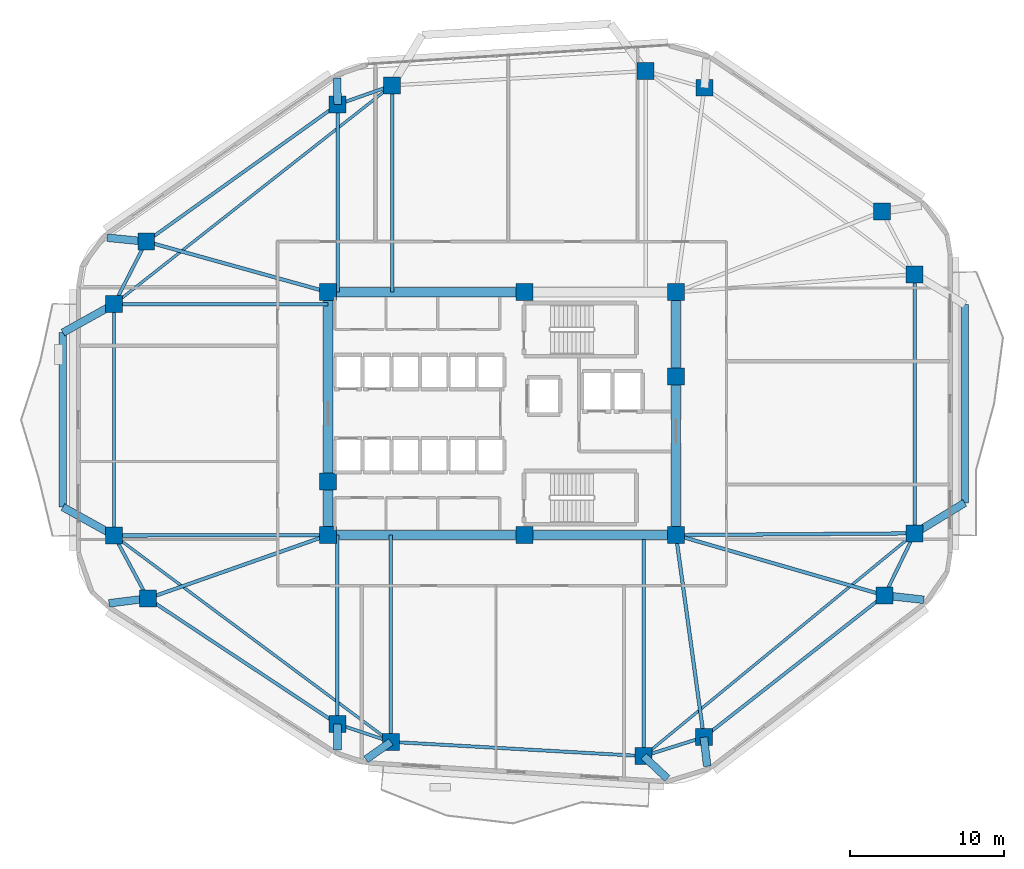
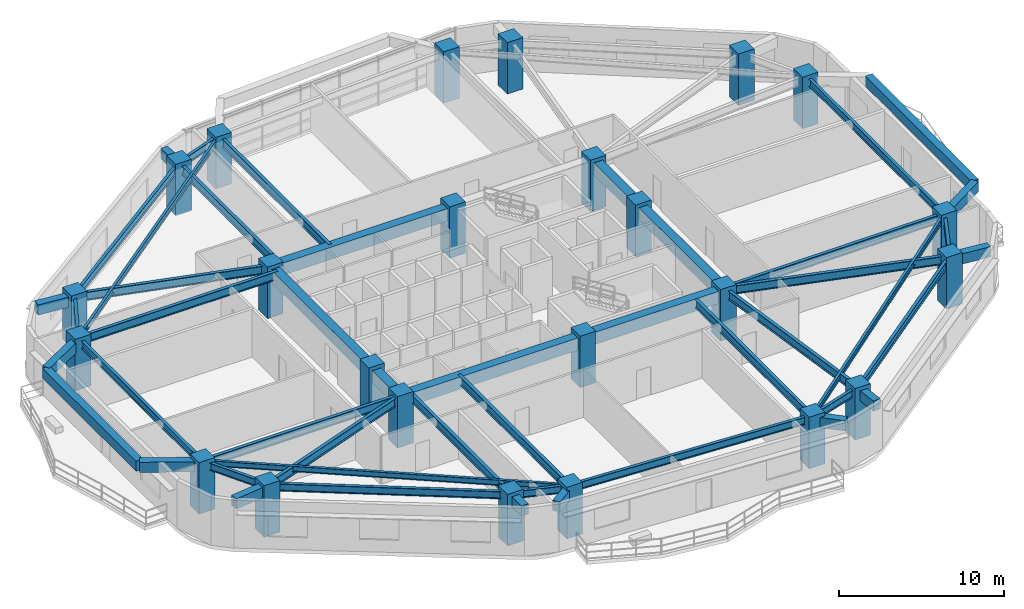
# One storey, part 1 of 13: 47 beams, 24 columns.
"""IFC4 building model written with IfcOpenShell, lengths in metres."""

from ifc_helpers import new_model, si_unit, direction, frame, origin, origin_2d, place, context, subcontext, project, spatial, rectangle, i_section, extrude, material, material_profile, profile_set, type_object, element, save


model = new_model("IFC4")

# Units and contexts
model_context = context("Model", 3, precision=1e-05, world=origin(), true_north=direction((0.0, 1.0)))
body_context = subcontext(model_context, "Body", "Model", "MODEL_VIEW")
ifc_project = project(units=[si_unit("LENGTHUNIT", "METRE"), si_unit("AREAUNIT", "SQUARE_METRE"), si_unit("VOLUMEUNIT", "CUBIC_METRE"), si_unit("PLANEANGLEUNIT", "RADIAN"), si_unit("MASSUNIT", "GRAM", prefix="KILO")], contexts=[model_context])

# Site, building, storey
site_placement = place(None, origin())
site = spatial("IfcSite", under=ifc_project, at=site_placement, CompositionType="ELEMENT")
building_placement = place(site_placement, origin())
building = spatial("IfcBuilding", under=site, at=building_placement, Name="Zulverin Broadcast Headquarters", CompositionType="ELEMENT")
storey_placement = place(building_placement, frame((0.0, 0.0, 101.0)))
storey = spatial("IfcBuildingStorey", under=building, at=storey_placement, Name="L25", CompositionType="ELEMENT", Elevation=101.0)

# Columns
ifc_material_1 = material(Name="Concrete C60/75", Category="concrete")
ifc_material_profile_1 = material_profile(ifc_material_1, rectangle(XDim=1.10009765625, YDim=1.10009765625, at=origin_2d()), Name="Concrete C60/75", Category="concrete")
ifc_profile_set_1 = profile_set([ifc_material_profile_1], Name="Concrete C60/75")
column_type_1 = type_object("IfcColumnType", Name="COL-RC-1100", PredefinedType="COLUMN", material=ifc_profile_set_1)
for number, where, z_axis, x_axis, name in (
    (1, (29.79638671875, 3.922119140625, 0.0), (0.0, 0.0, 1.0), (1.0, 0.0, 0.0), "L25 Perimeter Column T01"),
    (2, (46.175048828125, 2.997802734375, 0.0), (0.0, 0.0, 1.0), (1.0, 0.0, 0.0), "L25 Perimeter Column T02"),
    (3, (50.08056640625, 4.22509765625, 0.0), (0.0, 0.0, 1.0), (1.0, 0.0, 0.0), "L25 Perimeter Column T03"),
    (4, (61.79296875, 13.416259765625, 0.0), (0.0, 0.0, 1.0), (1.0, 0.0, 0.0), "L25 Perimeter Column T04"),
    (5, (63.75, 17.439697265625, 0.0), (0.0, 0.0, 1.0), (1.0, 0.0, 0.0), "L25 Perimeter Column T05"),
    (6, (63.75, 34.235107421875, 0.0), (0.0, 0.0, 1.0), (1.0, 0.0, 0.0), "L25 Perimeter Column T06"),
    (7, (61.630126953125, 38.298583984375, 0.0), (0.0, 0.0, 1.0), (1.0, 0.0, 0.0), "L25 Perimeter Column T07"),
    (8, (50.121826171875, 46.325927734375, 0.0), (0.0, 0.0, 1.0), (1.0, 0.0, 0.0), "L25 Perimeter Column T08"),
    (9, (46.30224609375, 47.4091796875, 0.0), (0.0, 0.0, 1.0), (1.0, 0.0, 0.0), "L25 Perimeter Column T09"),
    (10, (29.873779296875, 46.482177734375, 0.0), (0.0, 0.0, 1.0), (1.0, 0.0, 0.0), "L25 Perimeter Column T10"),
    (11, (26.344482421875, 45.23828125, 0.0), (0.0, 0.0, 1.0), (1.0, 0.0, 0.0), "L25 Perimeter Column T11"),
    (12, (13.934326171875, 36.353759765625, 0.0), (0.0, 0.0, 1.0), (1.0, 0.0, 0.0), "L25 Perimeter Column T12"),
    (13, (11.85009765625, 32.298095703125, 0.0), (0.0, 0.0, 1.0), (1.0, 0.0, 0.0), "L25 Perimeter Column T13"),
    (14, (11.85009765625, 17.297607421875, 0.0), (0.0, 0.0, 1.0), (1.0, 0.0, 0.0), "L25 Perimeter Column T14"),
    (15, (14.0390625, 13.219970703125, 0.0), (0.0, 0.0, 1.0), (1.0, 0.0, 0.0), "L25 Perimeter Column T15"),
    (16, (26.3251953125, 5.075927734375, 0.0), (0.0, 0.0, 1.0), (1.0, 0.0, 0.0), "L25 Perimeter Column T16"),
):
    element("IfcColumn", number, at=place(storey_placement, frame(where, z_axis=z_axis, x_axis=x_axis)), inside=storey, type_object=column_type_1, Name=name, PredefinedType="COLUMN", context=body_context, shape_type="SweptSolid", body=[
        extrude(rectangle(XDim=1.10009765625, YDim=1.10009765625, at=origin_2d()), origin(), (0.0, 0.0, 1.0), 3.800048828125),
    ])
ifc_material_profile_2 = material_profile(ifc_material_1, rectangle(XDim=1.10009765625, YDim=1.10009765625, at=origin_2d()), Name="Concrete C60/75", Category="concrete")
ifc_profile_set_2 = profile_set([ifc_material_profile_2], Name="Concrete C60/75")
column_type_2 = type_object("IfcColumnType", Name="PIL-RC-1100", PredefinedType="PILASTER", material=ifc_profile_set_2)
for number, where, z_axis, x_axis, name in (
    (17, (25.72509765625, 17.324951171875, 0.0), (0.0, 0.0, 1.0), (1.0, 0.0, 0.0), "L25 Core Pilaster K01"),
    (18, (38.449951171875, 17.324951171875, 0.0), (0.0, 0.0, 1.0), (1.0, 0.0, 0.0), "L25 Core Pilaster K02"),
    (19, (48.27490234375, 17.324951171875, 0.0), (0.0, 0.0, 1.0), (1.0, 0.0, 0.0), "L25 Core Pilaster K03"),
    (20, (48.27490234375, 27.6201171875, 0.0), (0.0, 0.0, 1.0), (1.0, 0.0, 0.0), "L25 Core Pilaster K04"),
    (21, (48.27490234375, 33.074951171875, 0.0), (0.0, 0.0, 1.0), (1.0, 0.0, 0.0), "L25 Core Pilaster K05"),
    (22, (38.449951171875, 33.074951171875, 0.0), (0.0, 0.0, 1.0), (1.0, 0.0, 0.0), "L25 Core Pilaster K06"),
    (23, (25.72509765625, 33.074951171875, 0.0), (0.0, 0.0, 1.0), (1.0, 0.0, 0.0), "L25 Core Pilaster K07"),
    (24, (25.72509765625, 20.800048828125, 0.0), (0.0, 0.0, 1.0), (1.0, 0.0, 0.0), "L25 Core Pilaster K08"),
):
    element("IfcColumn", number, at=place(storey_placement, frame(where, z_axis=z_axis, x_axis=x_axis)), inside=storey, type_object=column_type_2, Name=name, PredefinedType="PILASTER", context=body_context, shape_type="SweptSolid", body=[
        extrude(rectangle(XDim=1.10009765625, YDim=1.10009765625, at=origin_2d()), origin(), (0.0, 0.0, 1.0), 3.800048828125),
    ])

# Beams
ifc_material_profile_3 = material_profile(ifc_material_1, rectangle(XDim=0.60009765625, YDim=0.89990234375, at=origin_2d()), Name="Concrete C60/75", Category="concrete")
ifc_profile_set_3 = profile_set([ifc_material_profile_3], Name="Concrete C60/75")
beam_type_1 = type_object("IfcBeamType", Name="BM-CB-600x900", PredefinedType="LINTEL", material=ifc_profile_set_3)
beam_1_placement = place(storey_placement, frame((25.72509765625, 17.324951171875, 3.074951171875), z_axis=(1.0, 0.0, 0.0), x_axis=(0.0, 1.0, 0.0)))
element("IfcBeam", 25, at=beam_1_placement, inside=storey, type_object=beam_type_1, Name="L25 Core Coupling Girder K01-K02", PredefinedType="LINTEL", context=body_context, shape_type="SweptSolid", body=[
    extrude(rectangle(XDim=0.60009765625, YDim=0.89990234375, at=origin_2d()), origin(), (0.0, 0.0, 1.0), 12.724853515625),
])
beam_2_placement = place(storey_placement, frame((38.449951171875, 17.324951171875, 3.074951171875), z_axis=(1.0, 0.0, 0.0), x_axis=(0.0, 1.0, 0.0)))
element("IfcBeam", 26, at=beam_2_placement, inside=storey, type_object=beam_type_1, Name="L25 Core Coupling Girder K02-K03", PredefinedType="LINTEL", context=body_context, shape_type="SweptSolid", body=[
    extrude(rectangle(XDim=0.60009765625, YDim=0.89990234375, at=origin_2d()), origin(), (0.0, 0.0, 1.0), 9.824951171875),
])
beam_3_placement = place(storey_placement, frame((48.27490234375, 17.324951171875, 3.074951171875), z_axis=(0.0, 1.0, 0.0), x_axis=(-1.0, 0.0, 0.0)))
element("IfcBeam", 27, at=beam_3_placement, inside=storey, type_object=beam_type_1, Name="L25 Core Coupling Girder K03-K04", PredefinedType="LINTEL", context=body_context, shape_type="SweptSolid", body=[
    extrude(rectangle(XDim=0.60009765625, YDim=0.89990234375, at=origin_2d()), origin(), (0.0, 0.0, 1.0), 10.295166015625),
])
beam_4_placement = place(storey_placement, frame((48.27490234375, 27.6201171875, 3.074951171875), z_axis=(0.0, 1.0, 0.0), x_axis=(-1.0, 0.0, 0.0)))
element("IfcBeam", 28, at=beam_4_placement, inside=storey, type_object=beam_type_1, Name="L25 Core Coupling Girder K04-K05", PredefinedType="LINTEL", context=body_context, shape_type="SweptSolid", body=[
    extrude(rectangle(XDim=0.60009765625, YDim=0.89990234375, at=origin_2d()), origin(), (0.0, 0.0, 1.0), 5.454833984375),
])
beam_5_placement = place(storey_placement, frame((38.449951171875, 33.074951171875, 3.074951171875), z_axis=(-1.0, 0.0, 0.0), x_axis=(0.0, -1.0, 0.0)))
element("IfcBeam", 29, at=beam_5_placement, inside=storey, type_object=beam_type_1, Name="L25 Core Coupling Girder K06-K07", PredefinedType="LINTEL", context=body_context, shape_type="SweptSolid", body=[
    extrude(rectangle(XDim=0.60009765625, YDim=0.89990234375, at=origin_2d()), origin(), (0.0, 0.0, 1.0), 12.724853515625),
])
beam_6_placement = place(storey_placement, frame((25.72509765625, 33.074951171875, 3.074951171875), z_axis=(0.0, -1.0, 0.0), x_axis=(1.0, 0.0, 0.0)))
element("IfcBeam", 30, at=beam_6_placement, inside=storey, type_object=beam_type_1, Name="L25 Core Coupling Girder K07-K08", PredefinedType="LINTEL", context=body_context, shape_type="SweptSolid", body=[
    extrude(rectangle(XDim=0.60009765625, YDim=0.89990234375, at=origin_2d()), origin(), (0.0, 0.0, 1.0), 12.27490234375),
])
beam_7_placement = place(storey_placement, frame((25.72509765625, 20.800048828125, 3.074951171875), z_axis=(0.0, -1.0, 0.0), x_axis=(1.0, 0.0, 0.0)))
element("IfcBeam", 31, at=beam_7_placement, inside=storey, type_object=beam_type_1, Name="L25 Core Coupling Girder K08-K01", PredefinedType="LINTEL", context=body_context, shape_type="SweptSolid", body=[
    extrude(rectangle(XDim=0.60009765625, YDim=0.89990234375, at=origin_2d()), origin(), (0.0, 0.0, 1.0), 3.47509765625),
])
ifc_material_2 = material(Name="Concrete C40/50", Category="concrete")
ifc_material_profile_4 = material_profile(ifc_material_2, rectangle(XDim=0.5, YDim=0.75, at=origin_2d()), Name="Concrete C40/50", Category="concrete")
ifc_profile_set_4 = profile_set([ifc_material_profile_4], Name="Concrete C40/50")
beam_type_2 = type_object("IfcBeamType", Name="BM-RC-500x750", PredefinedType="BEAM", material=ifc_profile_set_4)
beam_8_placement = place(storey_placement, frame((29.79638671875, 3.922119140625, 3.14990234375), z_axis=(-0.817789251944, -0.575517801119, 0.0), x_axis=(0.575517801119, -0.817789251944, 0.0)))
element("IfcBeam", 32, at=beam_8_placement, inside=storey, type_object=beam_type_2, Name="L26 Plate Overhang Back-Spanned Beam OVR-01", PredefinedType="BEAM", context=body_context, shape_type="SweptSolid", body=[
    extrude(rectangle(XDim=0.5, YDim=0.75, at=origin_2d()), origin(), (0.0, 0.0, 1.0), 1.983154296875),
])
beam_9_placement = place(storey_placement, frame((46.175048828125, 2.997802734375, 3.14990234375), z_axis=(0.727711332613, -0.685883529754, 0.0), x_axis=(0.685883529754, 0.727711332613, 0.0)))
element("IfcBeam", 33, at=beam_9_placement, inside=storey, type_object=beam_type_2, Name="L26 Plate Overhang Back-Spanned Beam OVR-02", PredefinedType="BEAM", context=body_context, shape_type="SweptSolid", body=[
    extrude(rectangle(XDim=0.5, YDim=0.75, at=origin_2d()), origin(), (0.0, 0.0, 1.0), 2.113037109375),
])
beam_10_placement = place(storey_placement, frame((50.08056640625, 4.22509765625, 3.14990234375), z_axis=(0.115916621896, -0.99325894749, 0.0), x_axis=(0.99325894749, 0.115916621896, 0.0)))
element("IfcBeam", 34, at=beam_10_placement, inside=storey, type_object=beam_type_2, Name="L26 Plate Overhang Back-Spanned Beam OVR-03", PredefinedType="BEAM", context=body_context, shape_type="SweptSolid", body=[
    extrude(rectangle(XDim=0.5, YDim=0.75, at=origin_2d()), origin(), (0.0, 0.0, 1.0), 1.899658203125),
])
beam_11_placement = place(storey_placement, frame((61.79296875, 13.416259765625, 3.14990234375), z_axis=(0.993797661948, -0.111203449166, 0.0), x_axis=(0.111203449166, 0.993797661948, 0.0)))
element("IfcBeam", 35, at=beam_11_placement, inside=storey, type_object=beam_type_2, Name="L26 Plate Overhang Back-Spanned Beam OVR-04", PredefinedType="BEAM", context=body_context, shape_type="SweptSolid", body=[
    extrude(rectangle(XDim=0.5, YDim=0.75, at=origin_2d()), origin(), (0.0, 0.0, 1.0), 2.568603515625),
])
beam_12_placement = place(storey_placement, frame((26.344482421875, 45.23828125, 3.14990234375), z_axis=(-0.025024345209, 0.999686842039, 0.0), x_axis=(-0.999686842039, -0.025024345209, 0.0)))
element("IfcBeam", 36, at=beam_12_placement, inside=storey, type_object=beam_type_2, Name="L26 Plate Overhang Back-Spanned Beam OVR-11", PredefinedType="BEAM", context=body_context, shape_type="SweptSolid", body=[
    extrude(rectangle(XDim=0.5, YDim=0.75, at=origin_2d()), origin(), (0.0, 0.0, 1.0), 1.707275390625),
])
beam_13_placement = place(storey_placement, frame((13.934326171875, 36.353759765625, 3.14990234375), z_axis=(-0.995008621602, 0.09978899207, 0.0), x_axis=(-0.09978899207, -0.995008621602, 0.0)))
element("IfcBeam", 37, at=beam_13_placement, inside=storey, type_object=beam_type_2, Name="L26 Plate Overhang Back-Spanned Beam OVR-12", PredefinedType="BEAM", context=body_context, shape_type="SweptSolid", body=[
    extrude(rectangle(XDim=0.5, YDim=0.75, at=origin_2d()), origin(), (0.0, 0.0, 1.0), 2.5419921875),
])
beam_14_placement = place(storey_placement, frame((14.0390625, 13.219970703125, 3.14990234375), z_axis=(-0.992258640565, -0.124188526941, 0.0), x_axis=(0.124188526941, -0.992258640565, 0.0)))
element("IfcBeam", 38, at=beam_14_placement, inside=storey, type_object=beam_type_2, Name="L26 Plate Overhang Back-Spanned Beam OVR-15", PredefinedType="BEAM", context=body_context, shape_type="SweptSolid", body=[
    extrude(rectangle(XDim=0.5, YDim=0.75, at=origin_2d()), origin(), (0.0, 0.0, 1.0), 2.5400390625),
])
beam_15_placement = place(storey_placement, frame((26.3251953125, 5.075927734375, 3.14990234375), z_axis=(0.006204786761, -0.999980750125, 0.0), x_axis=(0.999980750125, 0.006204786761, 0.0)))
element("IfcBeam", 39, at=beam_15_placement, inside=storey, type_object=beam_type_2, Name="L26 Plate Overhang Back-Spanned Beam OVR-16", PredefinedType="BEAM", context=body_context, shape_type="SweptSolid", body=[
    extrude(rectangle(XDim=0.5, YDim=0.75, at=origin_2d()), origin(), (0.0, 0.0, 1.0), 1.69189453125),
])
beam_16_placement = place(storey_placement, frame((63.75, 17.439697265625, 3.14990234375), z_axis=(0.853769010652, 0.520651972483, 0.0), x_axis=(-0.520651972483, 0.853769010652, 0.0)))
element("IfcBeam", 40, at=beam_16_placement, inside=storey, type_object=beam_type_2, Name="L26 Balcony Column-Framed Cantilever BAL_E-1", PredefinedType="BEAM", context=body_context, shape_type="SweptSolid", body=[
    extrude(rectangle(XDim=0.5, YDim=0.75, at=origin_2d()), origin(), (0.0, 0.0, 1.0), 3.800048828125),
])
beam_17_placement = place(storey_placement, frame((66.994384765625, 19.418212890625, 3.14990234375), z_axis=(0.000531985561, 0.999999858496, 0.0), x_axis=(-0.999999858496, 0.000531985561, 0.0)))
element("IfcBeam", 41, at=beam_17_placement, inside=storey, type_object=beam_type_2, Name="L26 Balcony Outer Edge Trimmer Beam BAL_E", PredefinedType="BEAM", context=body_context, shape_type="SweptSolid", body=[
    extrude(rectangle(XDim=0.5, YDim=0.75, at=origin_2d()), origin(), (0.0, 0.0, 1.0), 12.849853515625),
])
beam_18_placement = place(storey_placement, frame((11.85009765625, 32.298095703125, 3.14990234375), z_axis=(-0.873763019306, -0.486351915893, 0.0), x_axis=(0.486351915893, -0.873763019306, 0.0)))
element("IfcBeam", 42, at=beam_18_placement, inside=storey, type_object=beam_type_2, Name="L26 Balcony Column-Framed Cantilever BAL_W-1", PredefinedType="BEAM", context=body_context, shape_type="SweptSolid", body=[
    extrude(rectangle(XDim=0.5, YDim=0.75, at=origin_2d()), origin(), (0.0, 0.0, 1.0), 3.800048828125),
])
beam_19_placement = place(storey_placement, frame((11.85009765625, 17.297607421875, 3.14990234375), z_axis=(-0.874363278793, 0.485271940975, 0.0), x_axis=(-0.485271940975, -0.874363278793, 0.0)))
element("IfcBeam", 43, at=beam_19_placement, inside=storey, type_object=beam_type_2, Name="L26 Balcony Column-Framed Cantilever BAL_W-2", PredefinedType="BEAM", context=body_context, shape_type="SweptSolid", body=[
    extrude(rectangle(XDim=0.5, YDim=0.75, at=origin_2d()), origin(), (0.0, 0.0, 1.0), 3.7998046875),
])
beam_20_placement = place(storey_placement, frame((8.52978515625, 30.449951171875, 3.14990234375), z_axis=(-0.000194304709, -0.999999981123, 0.0), x_axis=(0.999999981123, -0.000194304709, 0.0)))
element("IfcBeam", 44, at=beam_20_placement, inside=storey, type_object=beam_type_2, Name="L26 Balcony Outer Edge Trimmer Beam BAL_W", PredefinedType="BEAM", context=body_context, shape_type="SweptSolid", body=[
    extrude(rectangle(XDim=0.5, YDim=0.75, at=origin_2d()), origin(), (0.0, 0.0, 1.0), 11.308349609375),
])
ifc_material_3 = material(Name="Structural steel S355JR", Category="steel")
ifc_material_profile_5 = material_profile(ifc_material_3, i_section(OverallWidth=0.179443359375, OverallDepth=0.412841796875, WebThickness=0.009521484375, FlangeThickness=0.01611328125, at=origin_2d()), Name="Structural steel S355JR", Category="steel")
ifc_profile_set_5 = profile_set([ifc_material_profile_5], Name="Structural steel S355JR")
beam_type_3 = type_object("IfcBeamType", Name="BM-UB-406", PredefinedType="JOIST", material=ifc_profile_set_5)
beam_21_placement = place(storey_placement, frame((46.175048828125, 2.997802734375, 3.318603515625), z_axis=(0.772611370623, 0.634879256224, 0.0), x_axis=(-0.634879256224, 0.772611370623, 0.0)))
element("IfcBeam", 45, at=beam_21_placement, inside=storey, type_object=beam_type_3, Name="L25 Chordal Floor Joist J-01", PredefinedType="JOIST", context=body_context, shape_type="SweptSolid", body=[
    extrude(i_section(OverallWidth=0.179443359375, OverallDepth=0.412841796875, WebThickness=0.009521484375, FlangeThickness=0.01611328125, at=origin_2d()), origin(), (0.0, 0.0, 1.0), 22.74755859375),
])
beam_22_placement = place(storey_placement, frame((29.873779296875, 46.482177734375, 3.318603515625), z_axis=(-0.78583902739, -0.618431098047, 0.0), x_axis=(0.618431098047, -0.78583902739, 0.0)))
element("IfcBeam", 46, at=beam_22_placement, inside=storey, type_object=beam_type_3, Name="L25 Chordal Floor Joist J-03", PredefinedType="JOIST", context=body_context, shape_type="SweptSolid", body=[
    extrude(i_section(OverallWidth=0.179443359375, OverallDepth=0.412841796875, WebThickness=0.009521484375, FlangeThickness=0.01611328125, at=origin_2d()), origin(), (0.0, 0.0, 1.0), 22.935546875),
])
beam_23_placement = place(storey_placement, frame((11.85009765625, 17.297607421875, 3.318603515625), z_axis=(0.801802688634, -0.59758886243, 0.0), x_axis=(0.59758886243, 0.801802688634, 0.0)))
element("IfcBeam", 47, at=beam_23_placement, inside=storey, type_object=beam_type_3, Name="L25 Chordal Floor Joist J-04", PredefinedType="JOIST", context=body_context, shape_type="SweptSolid", body=[
    extrude(i_section(OverallWidth=0.179443359375, OverallDepth=0.412841796875, WebThickness=0.009521484375, FlangeThickness=0.01611328125, at=origin_2d()), origin(), (0.0, 0.0, 1.0), 22.38232421875),
])
ifc_material_profile_6 = material_profile(ifc_material_3, i_section(OverallWidth=0.2119140625, OverallDepth=0.54443359375, WebThickness=0.0126953125, FlangeThickness=0.021240234375, at=origin_2d()), Name="Structural steel S355JR", Category="steel")
ifc_profile_set_6 = profile_set([ifc_material_profile_6], Name="Structural steel S355JR")
beam_type_4 = type_object("IfcBeamType", Name="BM-UB-533", PredefinedType="SPANDREL", material=ifc_profile_set_6)
beam_24_placement = place(storey_placement, frame((29.79638671875, 3.922119140625, 3.252685546875), z_axis=(0.998411385104, -0.056344530297, 0.0), x_axis=(0.056344530297, 0.998411385104, 0.0)))
element("IfcBeam", 48, at=beam_24_placement, inside=storey, type_object=beam_type_4, Name="L25 Perimeter Spandrel Beam SP-01", PredefinedType="SPANDREL", context=body_context, shape_type="SweptSolid", body=[
    extrude(i_section(OverallWidth=0.2119140625, OverallDepth=0.54443359375, WebThickness=0.0126953125, FlangeThickness=0.021240234375, at=origin_2d()), origin(), (0.0, 0.0, 1.0), 16.40478515625),
])
beam_25_placement = place(storey_placement, frame((46.175048828125, 2.997802734375, 3.252685546875), z_axis=(0.954004438448, 0.299792480595, 0.0), x_axis=(-0.299792480595, 0.954004438448, 0.0)))
element("IfcBeam", 49, at=beam_25_placement, inside=storey, type_object=beam_type_4, Name="L25 Perimeter Spandrel Beam SP-02", PredefinedType="SPANDREL", context=body_context, shape_type="SweptSolid", body=[
    extrude(i_section(OverallWidth=0.2119140625, OverallDepth=0.54443359375, WebThickness=0.0126953125, FlangeThickness=0.021240234375, at=origin_2d()), origin(), (0.0, 0.0, 1.0), 4.09375),
])
beam_26_placement = place(storey_placement, frame((50.08056640625, 4.22509765625, 3.252685546875), z_axis=(0.786691476208, 0.617346354376, 0.0), x_axis=(-0.617346354376, 0.786691476208, 0.0)))
element("IfcBeam", 50, at=beam_26_placement, inside=storey, type_object=beam_type_4, Name="L25 Perimeter Spandrel Beam SP-03", PredefinedType="SPANDREL", context=body_context, shape_type="SweptSolid", body=[
    extrude(i_section(OverallWidth=0.2119140625, OverallDepth=0.54443359375, WebThickness=0.0126953125, FlangeThickness=0.021240234375, at=origin_2d()), origin(), (0.0, 0.0, 1.0), 14.88818359375),
])
beam_27_placement = place(storey_placement, frame((61.79296875, 13.416259765625, 3.252685546875), z_axis=(0.437408475872, 0.899262934428, 0.0), x_axis=(-0.899262934428, 0.437408475872, 0.0)))
element("IfcBeam", 51, at=beam_27_placement, inside=storey, type_object=beam_type_4, Name="L25 Perimeter Spandrel Beam SP-04", PredefinedType="SPANDREL", context=body_context, shape_type="SweptSolid", body=[
    extrude(i_section(OverallWidth=0.2119140625, OverallDepth=0.54443359375, WebThickness=0.0126953125, FlangeThickness=0.021240234375, at=origin_2d()), origin(), (0.0, 0.0, 1.0), 4.47412109375),
])
beam_28_placement = place(storey_placement, frame((63.75, 17.439697265625, 3.252685546875), z_axis=(0.0, 1.0, 0.0), x_axis=(-1.0, 0.0, 0.0)))
element("IfcBeam", 52, at=beam_28_placement, inside=storey, type_object=beam_type_4, Name="L25 Perimeter Spandrel Beam SP-05", PredefinedType="SPANDREL", context=body_context, shape_type="SweptSolid", body=[
    extrude(i_section(OverallWidth=0.2119140625, OverallDepth=0.54443359375, WebThickness=0.0126953125, FlangeThickness=0.021240234375, at=origin_2d()), origin(), (0.0, 0.0, 1.0), 16.79541015625),
])
beam_29_placement = place(storey_placement, frame((29.873779296875, 46.482177734375, 3.252685546875), z_axis=(-0.943135983398, -0.332407155189, 0.0), x_axis=(0.332407155189, -0.943135983398, 0.0)))
element("IfcBeam", 53, at=beam_29_placement, inside=storey, type_object=beam_type_4, Name="L25 Perimeter Spandrel Beam SP-10", PredefinedType="SPANDREL", context=body_context, shape_type="SweptSolid", body=[
    extrude(i_section(OverallWidth=0.2119140625, OverallDepth=0.54443359375, WebThickness=0.0126953125, FlangeThickness=0.021240234375, at=origin_2d()), origin(), (0.0, 0.0, 1.0), 3.7421875),
])
beam_30_placement = place(storey_placement, frame((26.344482421875, 45.23828125, 3.252685546875), z_axis=(-0.813109374453, -0.582110938891, 0.0), x_axis=(0.582110938891, -0.813109374453, 0.0)))
element("IfcBeam", 54, at=beam_30_placement, inside=storey, type_object=beam_type_4, Name="L25 Perimeter Spandrel Beam SP-11", PredefinedType="SPANDREL", context=body_context, shape_type="SweptSolid", body=[
    extrude(i_section(OverallWidth=0.2119140625, OverallDepth=0.54443359375, WebThickness=0.0126953125, FlangeThickness=0.021240234375, at=origin_2d()), origin(), (0.0, 0.0, 1.0), 15.2626953125),
])
beam_31_placement = place(storey_placement, frame((13.934326171875, 36.353759765625, 3.252685546875), z_axis=(-0.457080631948, -0.889425261558, 0.0), x_axis=(0.889425261558, -0.457080631948, 0.0)))
element("IfcBeam", 55, at=beam_31_placement, inside=storey, type_object=beam_type_4, Name="L25 Perimeter Spandrel Beam SP-12", PredefinedType="SPANDREL", context=body_context, shape_type="SweptSolid", body=[
    extrude(i_section(OverallWidth=0.2119140625, OverallDepth=0.54443359375, WebThickness=0.0126953125, FlangeThickness=0.021240234375, at=origin_2d()), origin(), (0.0, 0.0, 1.0), 4.559814453125),
])
beam_32_placement = place(storey_placement, frame((11.85009765625, 32.298095703125, 3.252685546875), z_axis=(0.0, -1.0, 0.0), x_axis=(1.0, 0.0, 0.0)))
element("IfcBeam", 56, at=beam_32_placement, inside=storey, type_object=beam_type_4, Name="L25 Perimeter Spandrel Beam SP-13", PredefinedType="SPANDREL", context=body_context, shape_type="SweptSolid", body=[
    extrude(i_section(OverallWidth=0.2119140625, OverallDepth=0.54443359375, WebThickness=0.0126953125, FlangeThickness=0.021240234375, at=origin_2d()), origin(), (0.0, 0.0, 1.0), 15.00048828125),
])
beam_33_placement = place(storey_placement, frame((11.85009765625, 17.297607421875, 3.252685546875), z_axis=(0.472979536362, -0.881073412482, 0.0), x_axis=(0.881073412482, 0.472979536362, 0.0)))
element("IfcBeam", 57, at=beam_33_placement, inside=storey, type_object=beam_type_4, Name="L25 Perimeter Spandrel Beam SP-14", PredefinedType="SPANDREL", context=body_context, shape_type="SweptSolid", body=[
    extrude(i_section(OverallWidth=0.2119140625, OverallDepth=0.54443359375, WebThickness=0.0126953125, FlangeThickness=0.021240234375, at=origin_2d()), origin(), (0.0, 0.0, 1.0), 4.6279296875),
])
beam_34_placement = place(storey_placement, frame((14.0390625, 13.219970703125, 3.252685546875), z_axis=(0.833510030956, -0.552504324232, 0.0), x_axis=(0.552504324232, 0.833510030956, 0.0)))
element("IfcBeam", 58, at=beam_34_placement, inside=storey, type_object=beam_type_4, Name="L25 Perimeter Spandrel Beam SP-15", PredefinedType="SPANDREL", context=body_context, shape_type="SweptSolid", body=[
    extrude(i_section(OverallWidth=0.2119140625, OverallDepth=0.54443359375, WebThickness=0.0126953125, FlangeThickness=0.021240234375, at=origin_2d()), origin(), (0.0, 0.0, 1.0), 14.740234375),
])
beam_35_placement = place(storey_placement, frame((26.3251953125, 5.075927734375, 3.252685546875), z_axis=(0.948949931395, -0.315426739047, 0.0), x_axis=(0.315426739047, 0.948949931395, 0.0)))
element("IfcBeam", 59, at=beam_35_placement, inside=storey, type_object=beam_type_4, Name="L25 Perimeter Spandrel Beam SP-16", PredefinedType="SPANDREL", context=body_context, shape_type="SweptSolid", body=[
    extrude(i_section(OverallWidth=0.2119140625, OverallDepth=0.54443359375, WebThickness=0.0126953125, FlangeThickness=0.021240234375, at=origin_2d()), origin(), (0.0, 0.0, 1.0), 3.657958984375),
])
ifc_material_profile_7 = material_profile(ifc_material_3, i_section(OverallWidth=0.230224609375, OverallDepth=0.6171875, WebThickness=0.01318359375, FlangeThickness=0.022216796875, at=origin_2d()), Name="Structural steel S355JR", Category="steel")
ifc_profile_set_7 = profile_set([ifc_material_profile_7], Name="Structural steel S355JR")
beam_type_5 = type_object("IfcBeamType", Name="BM-UB-610", PredefinedType="BEAM", material=ifc_profile_set_7)
beam_36_placement = place(storey_placement, frame((29.79638671875, 17.324951171875, 3.21630859375), z_axis=(0.0, -1.0, 0.0), x_axis=(1.0, 0.0, 0.0)))
element("IfcBeam", 60, at=beam_36_placement, inside=storey, type_object=beam_type_5, Name="L25 Radial Primary Floor Beam RB-01", PredefinedType="BEAM", context=body_context, shape_type="SweptSolid", body=[
    extrude(i_section(OverallWidth=0.230224609375, OverallDepth=0.6171875, WebThickness=0.01318359375, FlangeThickness=0.022216796875, at=origin_2d()), origin(), (0.0, 0.0, 1.0), 13.40283203125),
])
beam_37_placement = place(storey_placement, frame((46.175048828125, 17.324951171875, 3.21630859375), z_axis=(0.0, -1.0, 0.0), x_axis=(1.0, 0.0, 0.0)))
element("IfcBeam", 61, at=beam_37_placement, inside=storey, type_object=beam_type_5, Name="L25 Radial Primary Floor Beam RB-02", PredefinedType="BEAM", context=body_context, shape_type="SweptSolid", body=[
    extrude(i_section(OverallWidth=0.230224609375, OverallDepth=0.6171875, WebThickness=0.01318359375, FlangeThickness=0.022216796875, at=origin_2d()), origin(), (0.0, 0.0, 1.0), 14.3271484375),
])
beam_38_placement = place(storey_placement, frame((48.27490234375, 17.324951171875, 3.21630859375), z_axis=(0.136547433081, -0.990633533916, 0.0), x_axis=(0.990633533916, 0.136547433081, 0.0)))
element("IfcBeam", 62, at=beam_38_placement, inside=storey, type_object=beam_type_5, Name="L25 Radial Primary Floor Beam RB-03", PredefinedType="BEAM", context=body_context, shape_type="SweptSolid", body=[
    extrude(i_section(OverallWidth=0.230224609375, OverallDepth=0.6171875, WebThickness=0.01318359375, FlangeThickness=0.022216796875, at=origin_2d()), origin(), (0.0, 0.0, 1.0), 13.2236328125),
])
beam_39_placement = place(storey_placement, frame((48.27490234375, 17.324951171875, 3.21630859375), z_axis=(0.960648363311, -0.277767388416, 0.0), x_axis=(0.277767388416, 0.960648363311, 0.0)))
element("IfcBeam", 63, at=beam_39_placement, inside=storey, type_object=beam_type_5, Name="L25 Radial Primary Floor Beam RB-04", PredefinedType="BEAM", context=body_context, shape_type="SweptSolid", body=[
    extrude(i_section(OverallWidth=0.230224609375, OverallDepth=0.6171875, WebThickness=0.01318359375, FlangeThickness=0.022216796875, at=origin_2d()), origin(), (0.0, 0.0, 1.0), 14.07177734375),
])
beam_40_placement = place(storey_placement, frame((48.27490234375, 17.324951171875, 3.21630859375), z_axis=(0.999972510862, 0.007414682739, 0.0), x_axis=(-0.007414682739, 0.999972510862, 0.0)))
element("IfcBeam", 64, at=beam_40_placement, inside=storey, type_object=beam_type_5, Name="L25 Radial Primary Floor Beam RB-05", PredefinedType="BEAM", context=body_context, shape_type="SweptSolid", body=[
    extrude(i_section(OverallWidth=0.230224609375, OverallDepth=0.6171875, WebThickness=0.01318359375, FlangeThickness=0.022216796875, at=origin_2d()), origin(), (0.0, 0.0, 1.0), 15.4755859375),
])
beam_41_placement = place(storey_placement, frame((29.873779296875, 33.074951171875, 3.21630859375), z_axis=(0.0, 1.0, 0.0), x_axis=(-1.0, 0.0, 0.0)))
element("IfcBeam", 65, at=beam_41_placement, inside=storey, type_object=beam_type_5, Name="L25 Radial Primary Floor Beam RB-10", PredefinedType="BEAM", context=body_context, shape_type="SweptSolid", body=[
    extrude(i_section(OverallWidth=0.230224609375, OverallDepth=0.6171875, WebThickness=0.01318359375, FlangeThickness=0.022216796875, at=origin_2d()), origin(), (0.0, 0.0, 1.0), 13.4072265625),
])
beam_42_placement = place(storey_placement, frame((26.344482421875, 33.074951171875, 3.21630859375), z_axis=(0.0, 1.0, 0.0), x_axis=(-1.0, 0.0, 0.0)))
element("IfcBeam", 66, at=beam_42_placement, inside=storey, type_object=beam_type_5, Name="L25 Radial Primary Floor Beam RB-11", PredefinedType="BEAM", context=body_context, shape_type="SweptSolid", body=[
    extrude(i_section(OverallWidth=0.230224609375, OverallDepth=0.6171875, WebThickness=0.01318359375, FlangeThickness=0.022216796875, at=origin_2d()), origin(), (0.0, 0.0, 1.0), 12.163330078125),
])
beam_43_placement = place(storey_placement, frame((25.72509765625, 33.074951171875, 3.21630859375), z_axis=(-0.963442133037, 0.267916509922, 0.0), x_axis=(-0.267916509922, -0.963442133037, 0.0)))
element("IfcBeam", 67, at=beam_43_placement, inside=storey, type_object=beam_type_5, Name="L25 Radial Primary Floor Beam RB-12", PredefinedType="BEAM", context=body_context, shape_type="SweptSolid", body=[
    extrude(i_section(OverallWidth=0.230224609375, OverallDepth=0.6171875, WebThickness=0.01318359375, FlangeThickness=0.022216796875, at=origin_2d()), origin(), (0.0, 0.0, 1.0), 12.23828125),
])
for number, where, z_axis, x_axis, name in (
    (68, (25.72509765625, 32.298095703125, 3.21630859375), (-1.0, 0.0, 0.0), (0.0, -1.0, 0.0), "L25 Radial Primary Floor Beam RB-13"),
    (69, (25.72509765625, 17.324951171875, 3.21630859375), (-0.999998058136, -0.001970716894, 0.0), (0.001970716894, -0.999998058136, 0.0), "L25 Radial Primary Floor Beam RB-14"),
):
    element("IfcBeam", number, at=place(storey_placement, frame(where, z_axis=z_axis, x_axis=x_axis)), inside=storey, type_object=beam_type_5, Name=name, PredefinedType="BEAM", context=body_context, shape_type="SweptSolid", body=[
        extrude(i_section(OverallWidth=0.230224609375, OverallDepth=0.6171875, WebThickness=0.01318359375, FlangeThickness=0.022216796875, at=origin_2d()), origin(), (0.0, 0.0, 1.0), 13.875),
    ])
beam_44_placement = place(storey_placement, frame((25.72509765625, 17.324951171875, 3.21630859375), z_axis=(-0.943483462345, -0.331419607569, 0.0), x_axis=(0.331419607569, -0.943483462345, 0.0)))
element("IfcBeam", 70, at=beam_44_placement, inside=storey, type_object=beam_type_5, Name="L25 Radial Primary Floor Beam RB-15", PredefinedType="BEAM", context=body_context, shape_type="SweptSolid", body=[
    extrude(i_section(OverallWidth=0.230224609375, OverallDepth=0.6171875, WebThickness=0.01318359375, FlangeThickness=0.022216796875, at=origin_2d()), origin(), (0.0, 0.0, 1.0), 12.385986328125),
])
beam_45_placement = place(storey_placement, frame((26.3251953125, 17.324951171875, 3.21630859375), z_axis=(0.0, -1.0, 0.0), x_axis=(1.0, 0.0, 0.0)))
element("IfcBeam", 71, at=beam_45_placement, inside=storey, type_object=beam_type_5, Name="L25 Radial Primary Floor Beam RB-16", PredefinedType="BEAM", context=body_context, shape_type="SweptSolid", body=[
    extrude(i_section(OverallWidth=0.230224609375, OverallDepth=0.6171875, WebThickness=0.01318359375, FlangeThickness=0.022216796875, at=origin_2d()), origin(), (0.0, 0.0, 1.0), 12.2490234375),
])

save(model, "model.ifc")
